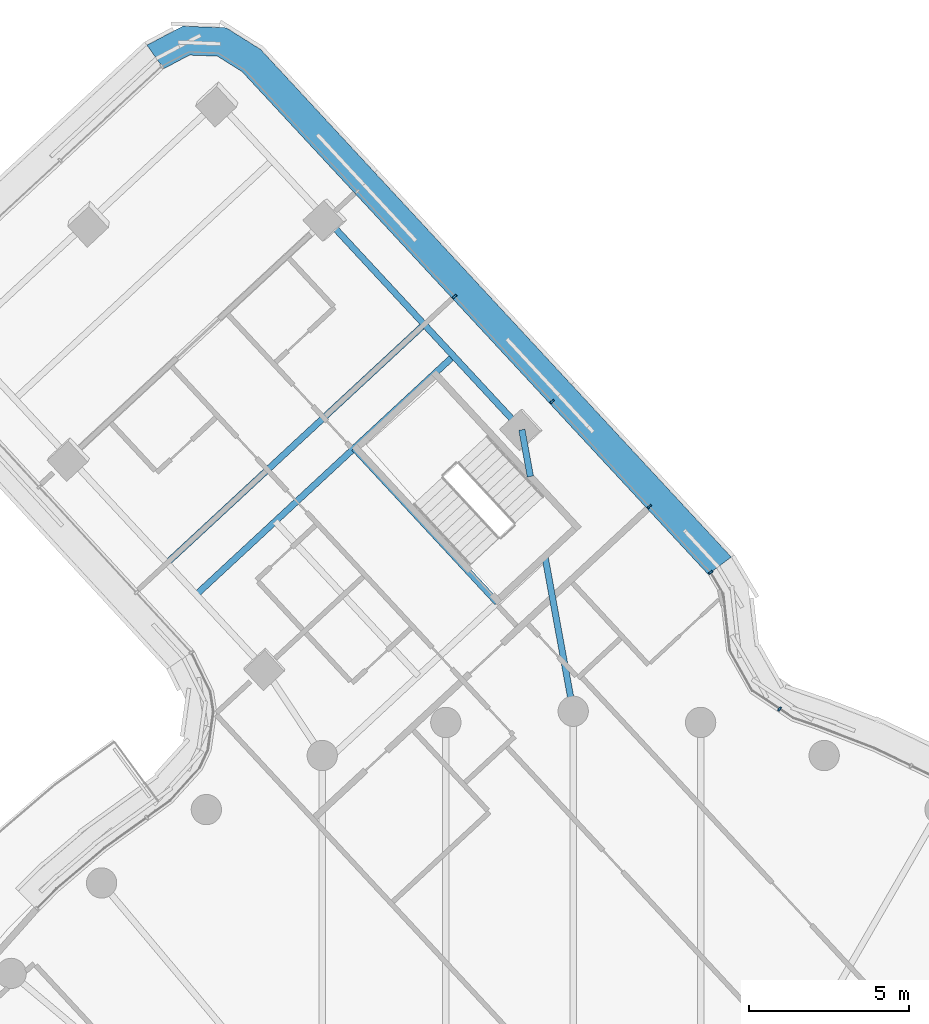
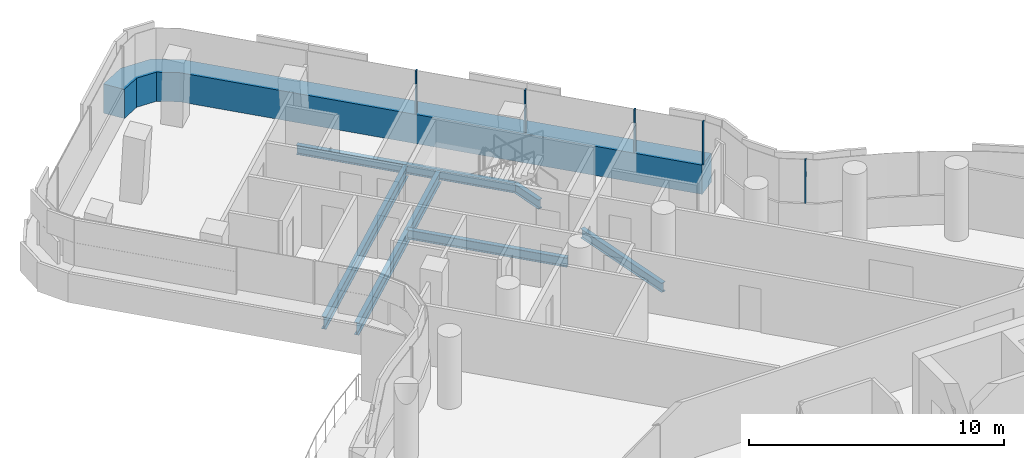
# One storey, part 16 of 34: 6 beams, 6 members, 2 elements without a shape of their own.
"""IFC4 building model written with IfcOpenShell, lengths in metres."""

from ifc_helpers import new_model, si_unit, direction, frame, origin, origin_2d, place, context, subcontext, project, spatial, polyline, rectangle, i_section, outline, extrude, material, layer, layer_set, material_profile, profile_set, type_object, element, aggregate, save


model = new_model("IFC4")

# Units and contexts
model_context = context("Model", 3, precision=1e-05, world=origin(), true_north=direction((0.0, 1.0)))
body_context = subcontext(model_context, "Body", "Model", "MODEL_VIEW")
ifc_project = project(units=[si_unit("LENGTHUNIT", "METRE"), si_unit("AREAUNIT", "SQUARE_METRE"), si_unit("VOLUMEUNIT", "CUBIC_METRE"), si_unit("PLANEANGLEUNIT", "RADIAN"), si_unit("MASSUNIT", "GRAM", prefix="KILO")], contexts=[model_context])

# Site, building, storey
site_placement = place(None, origin())
site = spatial("IfcSite", under=ifc_project, at=site_placement, CompositionType="ELEMENT")
building_placement = place(site_placement, origin())
building = spatial("IfcBuilding", under=site, at=building_placement, Name="Tamarind Cross Interchange Tower", CompositionType="ELEMENT")
storey_placement = place(building_placement, frame((0.0, 0.0, 189.699951171875)))
storey = spatial("IfcBuildingStorey", under=building, at=storey_placement, Name="L47", CompositionType="ELEMENT", Elevation=189.699951171875)

# Beams
ifc_material_1 = material(Name="Steel Q355B", Category="steel")
ifc_material_profile_1 = material_profile(ifc_material_1, i_section(OverallWidth=0.198974609375, OverallDepth=0.446044921875, WebThickness=0.008056640625, FlangeThickness=0.011962890625, FilletRadius=0.012939453125, at=origin_2d()), Name="HN 446x199x8x12")
ifc_profile_set_1 = profile_set([ifc_material_profile_1], Name="Steel Q355B")
beam_type_1 = type_object("IfcBeamType", Name="Composite beam HN 446x199x8x12 Q355B", PredefinedType="BEAM", material=ifc_profile_set_1)
beam_1_placement = place(storey_placement, frame((-7.7294921875, 38.425537109375, -0.363037109375), z_axis=(0.679924447682, -0.73328217314, 0.0), x_axis=(0.73328217314, 0.679924447682, 0.0)))
element("IfcBeam", 1, at=beam_1_placement, inside=storey, type_object=beam_type_1, Name="Beam N-edgeem6", PredefinedType="BEAM", context=body_context, shape_type="SweptSolid", body=[
    extrude(i_section(OverallWidth=0.198974609375, OverallDepth=0.446044921875, WebThickness=0.008056640625, FlangeThickness=0.011962890625, FilletRadius=0.012939453125, at=origin_2d()), origin(), (0.0, 0.0, 1.0), 9.0),
])
beam_2_placement = place(storey_placement, frame((-1.610107421875, 31.825927734375, -0.363037109375), z_axis=(0.179375994551, -0.983780591686, 0.0), x_axis=(0.983780591686, 0.179375994551, 0.0)))
element("IfcBeam", 2, at=beam_2_placement, inside=storey, type_object=beam_type_1, Name="Beam N-linkemt0", PredefinedType="BEAM", context=body_context, shape_type="SweptSolid", body=[
    extrude(i_section(OverallWidth=0.198974609375, OverallDepth=0.446044921875, WebThickness=0.008056640625, FlangeThickness=0.011962890625, FilletRadius=0.012939453125, at=origin_2d()), origin(), (0.0, 0.0, 1.0), 1.489013671875),
])
beam_3_placement = place(storey_placement, frame((-0.88671875, 27.860107421875, -0.363037109375), z_axis=(0.17948553497, -0.983760612515, 0.0), x_axis=(0.983760612515, 0.17948553497, 0.0)))
element("IfcBeam", 3, at=beam_3_placement, inside=storey, type_object=beam_type_1, Name="Beam N-linkemt1", PredefinedType="BEAM", context=body_context, shape_type="SweptSolid", body=[
    extrude(i_section(OverallWidth=0.198974609375, OverallDepth=0.446044921875, WebThickness=0.008056640625, FlangeThickness=0.011962890625, FilletRadius=0.012939453125, at=origin_2d()), origin(), (0.0, 0.0, 1.0), 4.9404296875),
])
beam_4_placement = place(storey_placement, frame((-2.380859375, 26.40625, -0.363037109375), z_axis=(-0.679914611684, 0.733291293293, 0.0), x_axis=(-0.733291293293, -0.679914611684, 0.0)))
element("IfcBeam", 4, at=beam_4_placement, inside=storey, type_object=beam_type_1, Name="Beam N-tr1", PredefinedType="BEAM", context=body_context, shape_type="SweptSolid", body=[
    extrude(i_section(OverallWidth=0.198974609375, OverallDepth=0.446044921875, WebThickness=0.008056640625, FlangeThickness=0.011962890625, FilletRadius=0.012939453125, at=origin_2d()), origin(), (0.0, 0.0, 1.0), 6.60009765625),
])
ifc_material_profile_2 = material_profile(ifc_material_1, i_section(OverallWidth=0.198974609375, OverallDepth=0.595947265625, WebThickness=0.010009765625, FlangeThickness=0.014892578125, FilletRadius=0.012939453125, at=origin_2d()), Name="HN 596x199x10x15")
ifc_profile_set_2 = profile_set([ifc_material_profile_2], Name="Steel Q355B")
beam_type_2 = type_object("IfcBeamType", Name="Composite beam HN 596x199x10x15 Q355B", PredefinedType="BEAM", material=ifc_profile_set_2)
for number, where, z_axis, x_axis, name in (
    (5, (-3.751953125, 34.1357421875, -0.43798828125), (-0.733292098775, -0.679913742966, 0.0), (0.679913742966, -0.733292098775, 0.0), "Beam N-x334"),
    (6, (-4.669677734375, 35.125732421875, -0.43798828125), (-0.73330235877, -0.679902677317, 0.0), (0.679902677317, -0.73330235877, 0.0), "Beam N-x348"),
):
    element("IfcBeam", number, at=place(storey_placement, frame(where, z_axis=z_axis, x_axis=x_axis)), inside=storey, type_object=beam_type_2, Name=name, PredefinedType="BEAM", context=body_context, shape_type="SweptSolid", body=[
        extrude(i_section(OverallWidth=0.198974609375, OverallDepth=0.595947265625, WebThickness=0.010009765625, FlangeThickness=0.014892578125, FilletRadius=0.012939453125, at=origin_2d()), origin(), (0.0, 0.0, 1.0), 11.0),
    ])

# Curtain wall, member
ifc_material_2 = material(Name="Aluminium 6063-T6", Category="aluminium")
ifc_layer = layer(ifc_material_2, 0.139892578125)
ifc_layer_set = layer_set([ifc_layer], Name="Aluminium 6063-T6")
curtain_wall_type = type_object("IfcCurtainWallType", Name="Hotel curtain wall, 4.5 m bays", PredefinedType="NOTDEFINED", material=ifc_layer_set)
curtain_wall_1_placement = place(storey_placement, origin())
curtain_wall_1 = element("IfcCurtainWall", 7, at=curtain_wall_1_placement, inside=storey, type_object=curtain_wall_type, Name="CWS-L47-03", PredefinedType="NOTDEFINED")
ifc_material_3 = material(Name="Aluminium and insulated spandrel panel", Category="aluminium")
member_type_1 = type_object("IfcMemberType", Name="Floor-edge blade transom", PredefinedType="USERDEFINED", material=ifc_material_3)
member_1_placement = place(storey_placement, origin())
member_1 = element("IfcMember", 8, at=member_1_placement, type_object=member_type_1, Name="CWT-L47-03", ObjectType="TRANSOM", PredefinedType="USERDEFINED", context=body_context, shape_type="SweptSolid", body=[
    extrude(outline(polyline([(4.229248046875, 27.29296875), (-10.379150390625, 43.04833984375), (-11.154052734375, 43.53564453125), (-12.028076171875, 43.568603515625), (-12.83740234375, 43.14111328125), (-13.362548828125, 43.881591796875), (-12.23486328125, 44.47705078125), (-10.879150390625, 44.42578125), (-9.7998046875, 43.7470703125), (4.954345703125, 27.834716796875), (4.229248046875, 27.29296875)])), origin(), (0.0, 0.0, 1.0), 1.400146484375),
])

curtain_wall_2_placement = place(storey_placement, origin())
curtain_wall_2 = element("IfcCurtainWall", 9, at=curtain_wall_2_placement, inside=storey, type_object=curtain_wall_type, Name="CWS-L47-02", PredefinedType="NOTDEFINED")
ifc_material_profile_3 = material_profile(ifc_material_2, rectangle(XDim=0.06005859375, YDim=0.139892578125, at=origin_2d()), Name="Mullion CW2")
ifc_profile_set_3 = profile_set([ifc_material_profile_3], Name="Aluminium 6063-T6")
member_type_2 = type_object("IfcMemberType", Name="Mullion CW2", PredefinedType="MULLION", material=ifc_profile_set_3)
member_2_placement = place(storey_placement, frame((6.46875, 23.0732421875, 1.400146484375), z_axis=(0.0, 0.0, 1.0), x_axis=(-0.830965766749, 0.556323551983, 0.0)))
member_2 = element("IfcMember", 10, at=member_2_placement, type_object=member_type_2, Name="CWM-L47-02-13", PredefinedType="MULLION", context=body_context, shape_type="SweptSolid", body=[
    extrude(rectangle(XDim=0.06005859375, YDim=0.139892578125, at=origin_2d()), origin(), (0.0, 0.0, 1.0), 2.059814453125),
])
aggregate(curtain_wall_2, [member_2])

# Member
member_3_placement = place(storey_placement, frame((4.309814453125, 27.353271484375, 1.400146484375), z_axis=(0.0, 0.0, 1.0), x_axis=(-0.598482724369, 0.801135711744, 0.0)))
member_3 = element("IfcMember", 11, at=member_3_placement, type_object=member_type_2, Name="CWM-L47-03-00", PredefinedType="MULLION", context=body_context, shape_type="SweptSolid", body=[
    extrude(rectangle(XDim=0.06005859375, YDim=0.139892578125, at=origin_2d()), origin(), (0.0, 0.0, 1.0), 2.059814453125),
])

member_4_placement = place(storey_placement, frame((2.392578125, 29.4208984375, 1.400146484375), z_axis=(0.0, 0.0, 1.0), x_axis=(-0.679912424958, 0.73329332084, 0.0)))
member_4 = element("IfcMember", 12, at=member_4_placement, type_object=member_type_2, Name="CWM-L47-03-01", PredefinedType="MULLION", context=body_context, shape_type="SweptSolid", body=[
    extrude(rectangle(XDim=0.06005859375, YDim=0.139892578125, at=origin_2d()), origin(), (0.0, 0.0, 1.0), 2.059814453125),
])

member_5_placement = place(storey_placement, frame((-0.660400390625, 32.71337890625, 1.400146484375), z_axis=(0.0, 0.0, 1.0), x_axis=(-0.679912424958, 0.73329332084, 0.0)))
member_5 = element("IfcMember", 13, at=member_5_placement, type_object=member_type_2, Name="CWM-L47-03-02", PredefinedType="MULLION", context=body_context, shape_type="SweptSolid", body=[
    extrude(rectangle(XDim=0.06005859375, YDim=0.139892578125, at=origin_2d()), origin(), (0.0, 0.0, 1.0), 2.059814453125),
])

member_6_placement = place(storey_placement, frame((-3.713134765625, 36.006103515625, 1.400146484375), z_axis=(0.0, 0.0, 1.0), x_axis=(-0.679912424958, 0.73329332084, 0.0)))
member_6 = element("IfcMember", 14, at=member_6_placement, type_object=member_type_2, Name="CWM-L47-03-03", PredefinedType="MULLION", context=body_context, shape_type="SweptSolid", body=[
    extrude(rectangle(XDim=0.06005859375, YDim=0.139892578125, at=origin_2d()), origin(), (0.0, 0.0, 1.0), 2.059814453125),
])

aggregate(curtain_wall_1, [member_3, member_4, member_5, member_6, member_1])

save(model, "model.ifc")
